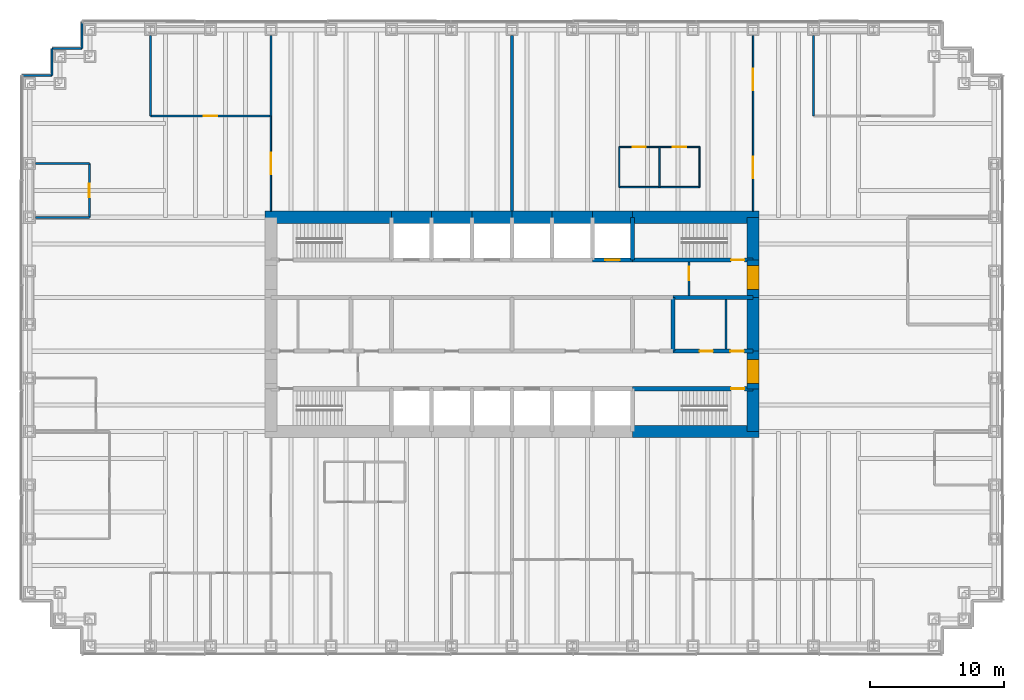
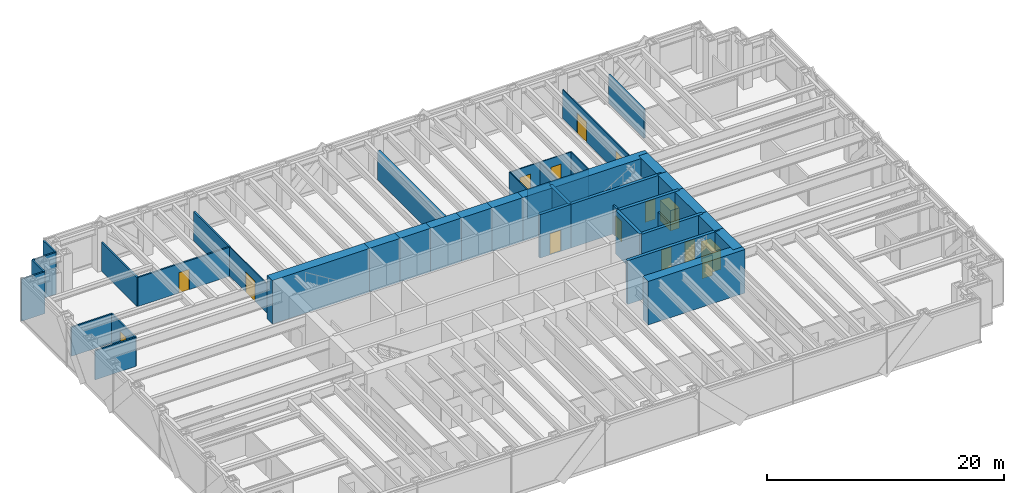
# One storey, part 11 of 13: 42 walls, 15 doors, 15 openings.
"""IFC4 building model written with IfcOpenShell, lengths in metres."""

from ifc_helpers import new_model, si_unit, direction, frame, frame_2d, origin, place, context, subcontext, project, spatial, rectangle, extrude, material, layer, layer_set, type_object, element, fill, save


model = new_model("IFC4")

# Units and contexts
model_context = context("Model", 3, precision=1e-05, world=origin(), true_north=direction((0.0, 1.0)))
body_context = subcontext(model_context, "Body", "Model", "MODEL_VIEW")
ifc_project = project(units=[si_unit("LENGTHUNIT", "METRE"), si_unit("AREAUNIT", "SQUARE_METRE"), si_unit("VOLUMEUNIT", "CUBIC_METRE"), si_unit("PLANEANGLEUNIT", "RADIAN"), si_unit("MASSUNIT", "GRAM", prefix="KILO")], contexts=[model_context])

# Site, building, storey
site_placement = place(None, origin())
site = spatial("IfcSite", under=ifc_project, at=site_placement, CompositionType="ELEMENT")
building_placement = place(site_placement, origin())
building = spatial("IfcBuilding", under=site, at=building_placement, Name="Rheinbord Bourse Tower", CompositionType="ELEMENT")
storey_placement = place(building_placement, frame((0.0, 0.0, 54.5)))
storey = spatial("IfcBuildingStorey", under=building, at=storey_placement, Name="L11", CompositionType="ELEMENT", Elevation=54.5)

# Wall, opening, door
ifc_material_1 = material(Name="Concrete C50/60", Category="concrete")
ifc_layer_1 = layer(ifc_material_1, 0.300048828125)
ifc_layer_set_1 = layer_set([ifc_layer_1], Name="CORE INNER WALL 300")
wall_type_1 = type_object("IfcWallType", Name="CORE INNER WALL 300", PredefinedType="SOLIDWALL", material=ifc_layer_set_1)
wall_1_placement = place(storey_placement, frame((45.0, 19.199951171875, 0.0), z_axis=(0.0, 0.0, 1.0), x_axis=(1.0, 0.0, 0.0)))
wall_1 = element("IfcWall", 1, at=wall_1_placement, inside=storey, type_object=wall_type_1, Name="Core wall A8 L11", PredefinedType="SOLIDWALL", context=body_context, shape_type="SweptSolid", body=[
    extrude(rectangle(XDim=9.0, YDim=0.300048828125, at=frame_2d((4.5, 0.0))), origin(), (0.0, 0.0, 1.0), 4.5),
])
opening_1_placement = place(wall_1_placement, frame((7.35009765625, 0.0, 0.0)))
opening_1 = element("IfcOpeningElement", 2, at=opening_1_placement, cuts=wall_1, Name="Opening 1130", PredefinedType="OPENING", context=body_context, shape_type="SweptSolid", body=[
    extrude(rectangle(XDim=1.0, YDim=2.10009765625, at=frame_2d((0.5, 1.050048828125))), frame((0.0, 0.159912109375, 0.0), z_axis=(0.0, -1.0, 0.0), x_axis=(1.0, 0.0, 0.0)), (0.0, 0.0, 1.0), 0.320068359375),
])
ifc_material_2 = material(Name="Steel door", Category="steel")
door_type_1 = type_object("IfcDoorType", Name="DOOR 1000 EI30", OperationType="SINGLE_SWING_LEFT", PredefinedType="DOOR", material=ifc_material_2)
door_1_placement = place(opening_1_placement, origin())
door_1 = element("IfcDoor", 3, at=door_1_placement, inside=storey, type_object=door_type_1, Name="Stair door ST3 L11", OperationType="SINGLE_SWING_RIGHT", OverallHeight=2.10009765625, OverallWidth=1.0, PredefinedType="DOOR", context=body_context, shape_type="SweptSolid", body=[
    extrude(rectangle(XDim=1.0, YDim=2.10009765625, at=frame_2d((0.5, 1.050048828125))), frame((0.0, 0.02490234375, 0.0), z_axis=(0.0, -1.0, 0.0), x_axis=(1.0, 0.0, 0.0)), (0.0, 0.0, 1.0), 0.050048828125),
])
fill(opening_1, door_1)

wall_2_placement = place(storey_placement, frame((42.0, 28.800048828125, 0.0), z_axis=(0.0, 0.0, 1.0), x_axis=(1.0, 0.0, 0.0)))
wall_2 = element("IfcWall", 4, at=wall_2_placement, inside=storey, type_object=wall_type_1, Name="Core wall B7 L11", PredefinedType="SOLIDWALL", context=body_context, shape_type="SweptSolid", body=[
    extrude(rectangle(XDim=3.0, YDim=0.300048828125, at=frame_2d((1.5, 0.0))), origin(), (0.0, 0.0, 1.0), 4.5),
])
opening_2_placement = place(wall_2_placement, frame((0.949951171875, 0.0, 0.0)))
opening_2 = element("IfcOpeningElement", 5, at=opening_2_placement, cuts=wall_2, Name="Opening FL2", PredefinedType="OPENING", context=body_context, shape_type="SweptSolid", body=[
    extrude(rectangle(XDim=1.10009765625, YDim=2.199951171875, at=frame_2d((0.550048828125, 1.10009765625))), frame((0.0, 0.159912109375, 0.0), z_axis=(0.0, -1.0, 0.0), x_axis=(1.0, 0.0, 0.0)), (0.0, 0.0, 1.0), 0.320068359375),
])
ifc_material_3 = material(Name="Steel landing door", Category="steel")
door_type_2 = type_object("IfcDoorType", Name="LIFT LANDING DOOR 1100", OperationType="DOUBLE_DOOR_SLIDING", PredefinedType="USERDEFINED", material=ifc_material_3)
door_2_placement = place(opening_2_placement, origin())
door_2 = element("IfcDoor", 6, at=door_2_placement, inside=storey, type_object=door_type_2, Name="Lift landing door FL2 L11", ObjectType="LIFT LANDING DOOR", OperationType="DOUBLE_DOOR_SLIDING", OverallHeight=2.199951171875, OverallWidth=1.10009765625, PredefinedType="USERDEFINED", context=body_context, shape_type="SweptSolid", body=[
    extrude(rectangle(XDim=1.10009765625, YDim=2.199951171875, at=frame_2d((0.550048828125, 1.10009765625))), frame((0.0, 0.02490234375, 0.0), z_axis=(0.0, -1.0, 0.0), x_axis=(1.0, 0.0, 0.0)), (0.0, 0.0, 1.0), 0.050048828125),
])
fill(opening_2, door_2)

wall_3_placement = place(storey_placement, frame((45.0, 28.800048828125, 0.0), z_axis=(0.0, 0.0, 1.0), x_axis=(1.0, 0.0, 0.0)))
wall_3 = element("IfcWall", 7, at=wall_3_placement, inside=storey, type_object=wall_type_1, Name="Core wall B8 L11", PredefinedType="SOLIDWALL", context=body_context, shape_type="SweptSolid", body=[
    extrude(rectangle(XDim=9.0, YDim=0.300048828125, at=frame_2d((4.5, 0.0))), origin(), (0.0, 0.0, 1.0), 4.5),
])
opening_3_placement = place(wall_3_placement, frame((7.35009765625, 0.0, 0.0)))
opening_3 = element("IfcOpeningElement", 8, at=opening_3_placement, cuts=wall_3, Name="Opening 1140", PredefinedType="OPENING", context=body_context, shape_type="SweptSolid", body=[
    extrude(rectangle(XDim=1.0, YDim=2.10009765625, at=frame_2d((0.5, 1.050048828125))), frame((0.0, 0.159912109375, 0.0), z_axis=(0.0, -1.0, 0.0), x_axis=(1.0, 0.0, 0.0)), (0.0, 0.0, 1.0), 0.320068359375),
])
door_3_placement = place(opening_3_placement, origin())
door_3 = element("IfcDoor", 9, at=door_3_placement, inside=storey, type_object=door_type_1, Name="Stair door ST4 L11", OperationType="SINGLE_SWING_RIGHT", OverallHeight=2.10009765625, OverallWidth=1.0, PredefinedType="DOOR", context=body_context, shape_type="SweptSolid", body=[
    extrude(rectangle(XDim=1.0, YDim=2.10009765625, at=frame_2d((0.5, 1.050048828125))), frame((0.0, 0.02490234375, 0.0), z_axis=(0.0, -1.0, 0.0), x_axis=(1.0, 0.0, 0.0)), (0.0, 0.0, 1.0), 0.050048828125),
])
fill(opening_3, door_3)

# Wall, openings, doors
wall_4_placement = place(storey_placement, frame((48.0, 22.0, 0.0), z_axis=(0.0, 0.0, 1.0), x_axis=(1.0, 0.0, 0.0)))
wall_4 = element("IfcWall", 10, at=wall_4_placement, inside=storey, type_object=wall_type_1, Name="Core wall C6 L11", PredefinedType="SOLIDWALL", context=body_context, shape_type="SweptSolid", body=[
    extrude(rectangle(XDim=6.0, YDim=0.300048828125, at=frame_2d((3.0, 0.0))), origin(), (0.0, 0.0, 1.0), 4.5),
])
opening_4_placement = place(wall_4_placement, frame((2.0, 0.0, 0.0)))
opening_4 = element("IfcOpeningElement", 11, at=opening_4_placement, cuts=wall_4, Name="Opening 11R6", PredefinedType="OPENING", context=body_context, shape_type="SweptSolid", body=[
    extrude(rectangle(XDim=1.0, YDim=2.10009765625, at=frame_2d((0.5, 1.050048828125))), frame((0.0, 0.159912109375, 0.0), z_axis=(0.0, -1.0, 0.0), x_axis=(1.0, 0.0, 0.0)), (0.0, 0.0, 1.0), 0.320068359375),
])
opening_5_placement = place(wall_4_placement, frame((4.300048828125, 0.0, 0.0)))
opening_5 = element("IfcOpeningElement", 12, at=opening_5_placement, cuts=wall_4, Name="Opening 11R10", PredefinedType="OPENING", context=body_context, shape_type="SweptSolid", body=[
    extrude(rectangle(XDim=1.0, YDim=2.10009765625, at=frame_2d((0.5, 1.050048828125))), frame((0.0, 0.159912109375, 0.0), z_axis=(0.0, -1.0, 0.0), x_axis=(1.0, 0.0, 0.0)), (0.0, 0.0, 1.0), 0.320068359375),
])
door_4_placement = place(opening_5_placement, origin())
door_4 = element("IfcDoor", 13, at=door_4_placement, inside=storey, type_object=door_type_1, Name="Cleaner's store door L11", OperationType="SINGLE_SWING_RIGHT", OverallHeight=2.10009765625, OverallWidth=1.0, PredefinedType="DOOR", context=body_context, shape_type="SweptSolid", body=[
    extrude(rectangle(XDim=1.0, YDim=2.10009765625, at=frame_2d((0.5, 1.050048828125))), frame((0.0, 0.02490234375, 0.0), z_axis=(0.0, -1.0, 0.0), x_axis=(1.0, 0.0, 0.0)), (0.0, 0.0, 1.0), 0.050048828125),
])
fill(opening_5, door_4)
ifc_material_4 = material(Name="Timber door", Category="wood")
door_type_3 = type_object("IfcDoorType", Name="DOOR 1000 WC", OperationType="SINGLE_SWING_LEFT", PredefinedType="DOOR", material=ifc_material_4)
door_5_placement = place(opening_4_placement, origin())
door_5 = element("IfcDoor", 14, at=door_5_placement, inside=storey, type_object=door_type_3, Name="WC women door L11", OperationType="SINGLE_SWING_LEFT", OverallHeight=2.10009765625, OverallWidth=1.0, PredefinedType="DOOR", context=body_context, shape_type="SweptSolid", body=[
    extrude(rectangle(XDim=1.0, YDim=2.10009765625, at=frame_2d((0.5, 1.050048828125))), frame((0.0, 0.02490234375, 0.0), z_axis=(0.0, -1.0, 0.0), x_axis=(1.0, 0.0, 0.0)), (0.0, 0.0, 1.0), 0.050048828125),
])
fill(opening_4, door_5)

# Walls
wall_5_placement = place(storey_placement, frame((48.0, 26.0, 0.0), z_axis=(0.0, 0.0, 1.0), x_axis=(1.0, 0.0, 0.0)))
element("IfcWall", 15, at=wall_5_placement, inside=storey, type_object=wall_type_1, Name="Core wall D6 L11", PredefinedType="SOLIDWALL", context=body_context, shape_type="SweptSolid", body=[
    extrude(rectangle(XDim=6.0, YDim=0.300048828125, at=frame_2d((3.0, 0.0))), origin(), (0.0, 0.0, 1.0), 4.5),
])
wall_6_placement = place(storey_placement, frame((45.0, 28.800048828125, 0.0), z_axis=(0.0, 0.0, 1.0), x_axis=(0.0, 1.0, 0.0)))
element("IfcWall", 16, at=wall_6_placement, inside=storey, type_object=wall_type_1, Name="Core wall NX45 L11", PredefinedType="SOLIDWALL", context=body_context, shape_type="SweptSolid", body=[
    extrude(rectangle(XDim=3.199951171875, YDim=0.300048828125, at=frame_2d((1.60009765625, 0.0))), origin(), (0.0, 0.0, 1.0), 4.5),
])
wall_7_placement = place(storey_placement, frame((48.0, 22.0, 0.0), z_axis=(0.0, 0.0, 1.0), x_axis=(0.0, 1.0, 0.0)))
element("IfcWall", 17, at=wall_7_placement, inside=storey, type_object=wall_type_1, Name="Core wall MX48 L11", PredefinedType="SOLIDWALL", context=body_context, shape_type="SweptSolid", body=[
    extrude(rectangle(XDim=4.0, YDim=0.300048828125, at=frame_2d((2.0, 0.0))), origin(), (0.0, 0.0, 1.0), 4.5),
])
ifc_material_5 = material(Name="Gypsum board fire partition", Category="gypsum board")
ifc_layer_2 = layer(ifc_material_5, 0.14990234375)
ifc_layer_set_2 = layer_set([ifc_layer_2], Name="CORE PARTITION 150 EI30")
wall_type_2 = type_object("IfcWallType", Name="CORE PARTITION 150 EI30", PredefinedType="PARTITIONING", material=ifc_layer_set_2)
wall_8_placement = place(storey_placement, frame((51.97509765625, 22.14990234375, 0.0), z_axis=(0.0, 0.0, 1.0), x_axis=(0.0, 1.0, 0.0)))
element("IfcWall", 18, at=wall_8_placement, inside=storey, type_object=wall_type_2, Name="Core partition L11-3", PredefinedType="PARTITIONING", context=body_context, shape_type="SweptSolid", body=[
    extrude(rectangle(XDim=3.7001953125, YDim=0.14990234375, at=frame_2d((1.85009765625, 0.0))), origin(), (0.0, 0.0, 1.0), 3.0),
])

# Wall, opening, door
wall_9_placement = place(storey_placement, frame((49.199951171875, 26.14990234375, 0.0), z_axis=(0.0, 0.0, 1.0), x_axis=(0.0, 1.0, 0.0)))
wall_9 = element("IfcWall", 19, at=wall_9_placement, inside=storey, type_object=wall_type_2, Name="Core partition L11-5", PredefinedType="PARTITIONING", context=body_context, shape_type="SweptSolid", body=[
    extrude(rectangle(XDim=2.5, YDim=0.14990234375, at=frame_2d((1.25, 0.0))), origin(), (0.0, 0.0, 1.0), 3.0),
])
opening_6_placement = place(wall_9_placement, frame((1.14990234375, 0.0, 0.0)))
opening_6 = element("IfcOpeningElement", 20, at=opening_6_placement, cuts=wall_9, Name="Opening 11L6", PredefinedType="OPENING", context=body_context, shape_type="SweptSolid", body=[
    extrude(rectangle(XDim=1.0, YDim=2.10009765625, at=frame_2d((0.5, 1.050048828125))), frame((0.0, 0.0849609375, 0.0), z_axis=(0.0, -1.0, 0.0), x_axis=(1.0, 0.0, 0.0)), (0.0, 0.0, 1.0), 0.169921875),
])
door_6_placement = place(opening_6_placement, origin())
door_6 = element("IfcDoor", 21, at=door_6_placement, inside=storey, type_object=door_type_1, Name="Stair lobby door L11", OperationType="SINGLE_SWING_RIGHT", OverallHeight=2.10009765625, OverallWidth=1.0, PredefinedType="DOOR", context=body_context, shape_type="SweptSolid", body=[
    extrude(rectangle(XDim=1.0, YDim=2.10009765625, at=frame_2d((0.5, 1.050048828125))), frame((0.0, 0.02490234375, 0.0), z_axis=(0.0, -1.0, 0.0), x_axis=(1.0, 0.0, 0.0)), (0.0, 0.0, 1.0), 0.050048828125),
])
fill(opening_6, door_6)

# Walls
ifc_material_6 = material(Name="Concrete C50/60", Category="concrete")
ifc_layer_3 = layer(ifc_material_6, 0.89990234375)
ifc_layer_set_3 = layer_set([ifc_layer_3], Name="CORE WALL 900")
wall_type_3 = type_object("IfcWallType", Name="CORE WALL 900", PredefinedType="SHEAR", material=ifc_layer_set_3)
for number, where, z_axis, x_axis, name in (
    (22, (45.0, 16.0, 0.0), (0.0, 0.0, 1.0), (1.0, 0.0, 0.0), "Core wall S8 L11"),
    (23, (54.449951171875, 32.0, 0.0), (0.0, 0.0, 1.0), (-1.0, 0.0, 0.0), "Core wall N1 L11"),
):
    element("IfcWall", number, at=place(storey_placement, frame(where, z_axis=z_axis, x_axis=x_axis)), inside=storey, type_object=wall_type_3, Name=name, PredefinedType="SHEAR", context=body_context, shape_type="SweptSolid", body=[
        extrude(rectangle(XDim=9.449951171875, YDim=0.89990234375, at=frame_2d((4.72509765625, 0.0))), origin(), (0.0, 0.0, 1.0), 4.5),
    ])
for number, where, z_axis, x_axis, name in (
    (24, (45.0, 32.0, 0.0), (0.0, 0.0, 1.0), (-1.0, 0.0, 0.0), "Core wall N2 L11"),
    (25, (42.0, 32.0, 0.0), (0.0, 0.0, 1.0), (-1.0, 0.0, 0.0), "Core wall N3 L11"),
    (26, (39.0, 32.0, 0.0), (0.0, 0.0, 1.0), (-1.0, 0.0, 0.0), "Core wall N4 L11"),
    (27, (36.0, 32.0, 0.0), (0.0, 0.0, 1.0), (-1.0, 0.0, 0.0), "Core wall N5 L11"),
    (28, (33.0, 32.0, 0.0), (0.0, 0.0, 1.0), (-1.0, 0.0, 0.0), "Core wall N6 L11"),
    (29, (30.0, 32.0, 0.0), (0.0, 0.0, 1.0), (-1.0, 0.0, 0.0), "Core wall N7 L11"),
):
    element("IfcWall", number, at=place(storey_placement, frame(where, z_axis=z_axis, x_axis=x_axis)), inside=storey, type_object=wall_type_3, Name=name, PredefinedType="SHEAR", context=body_context, shape_type="SweptSolid", body=[
        extrude(rectangle(XDim=3.0, YDim=0.89990234375, at=frame_2d((1.5, 0.0))), origin(), (0.0, 0.0, 1.0), 4.5),
    ])
wall_10_placement = place(storey_placement, frame((27.0, 32.0, 0.0), z_axis=(0.0, 0.0, 1.0), x_axis=(-1.0, 0.0, 0.0)))
element("IfcWall", 30, at=wall_10_placement, inside=storey, type_object=wall_type_3, Name="Core wall N8 L11", PredefinedType="SHEAR", context=body_context, shape_type="SweptSolid", body=[
    extrude(rectangle(XDim=9.449951171875, YDim=0.89990234375, at=frame_2d((4.72509765625, 0.0))), origin(), (0.0, 0.0, 1.0), 4.5),
])
wall_11_placement = place(storey_placement, frame((54.0, 16.0, 0.0), z_axis=(0.0, 0.0, 1.0), x_axis=(0.0, 1.0, 0.0)))
element("IfcWall", 31, at=wall_11_placement, inside=storey, type_object=wall_type_3, Name="Core wall E1 L11", PredefinedType="SHEAR", context=body_context, shape_type="SweptSolid", body=[
    extrude(rectangle(XDim=3.199951171875, YDim=0.89990234375, at=frame_2d((1.60009765625, 0.0))), origin(), (0.0, 0.0, 1.0), 4.5),
])

# Wall, opening, door
wall_12_placement = place(storey_placement, frame((54.0, 19.199951171875, 0.0), z_axis=(0.0, 0.0, 1.0), x_axis=(0.0, 1.0, 0.0)))
wall_12 = element("IfcWall", 32, at=wall_12_placement, inside=storey, type_object=wall_type_3, Name="Core wall E2 L11", PredefinedType="SHEAR", context=body_context, shape_type="SweptSolid", body=[
    extrude(rectangle(XDim=2.800048828125, YDim=0.89990234375, at=frame_2d((1.39990234375, 0.0))), origin(), (0.0, 0.0, 1.0), 4.5),
])
opening_7_placement = place(wall_12_placement, frame((0.39990234375, 0.0, 0.0)))
opening_7 = element("IfcOpeningElement", 33, at=opening_7_placement, cuts=wall_12, Name="Opening 11L3", PredefinedType="OPENING", context=body_context, shape_type="SweptSolid", body=[
    extrude(rectangle(XDim=1.800048828125, YDim=2.10009765625, at=frame_2d((0.89990234375, 1.050048828125))), frame((0.0, 0.4599609375, 0.0), z_axis=(0.0, -1.0, 0.0), x_axis=(1.0, 0.0, 0.0)), (0.0, 0.0, 1.0), 0.919921875),
])
ifc_material_7 = material(Name="Steel door", Category="steel")
door_type_4 = type_object("IfcDoorType", Name="DOOR 1800 EI30 DOUBLE", OperationType="DOUBLE_DOOR_DOUBLE_SWING", PredefinedType="DOOR", material=ifc_material_7)
door_7_placement = place(opening_7_placement, origin())
door_7 = element("IfcDoor", 34, at=door_7_placement, inside=storey, type_object=door_type_4, Name="Lobby door 3 L11", OperationType="SINGLE_SWING_LEFT", OverallHeight=2.10009765625, OverallWidth=1.800048828125, PredefinedType="DOOR", context=body_context, shape_type="SweptSolid", body=[
    extrude(rectangle(XDim=1.800048828125, YDim=2.10009765625, at=frame_2d((0.89990234375, 1.050048828125))), frame((0.0, 0.44970703125, 0.0), z_axis=(0.0, -1.0, 0.0), x_axis=(1.0, 0.0, 0.0)), (0.0, 0.0, 1.0), 0.8994140625),
])
fill(opening_7, door_7)

# Wall
wall_13_placement = place(storey_placement, frame((54.0, 22.0, 0.0), z_axis=(0.0, 0.0, 1.0), x_axis=(0.0, 1.0, 0.0)))
element("IfcWall", 35, at=wall_13_placement, inside=storey, type_object=wall_type_3, Name="Core wall E3 L11", PredefinedType="SHEAR", context=body_context, shape_type="SweptSolid", body=[
    extrude(rectangle(XDim=4.0, YDim=0.89990234375, at=frame_2d((2.0, 0.0))), origin(), (0.0, 0.0, 1.0), 4.5),
])

# Wall, opening, door
wall_14_placement = place(storey_placement, frame((54.0, 26.0, 0.0), z_axis=(0.0, 0.0, 1.0), x_axis=(0.0, 1.0, 0.0)))
wall_14 = element("IfcWall", 36, at=wall_14_placement, inside=storey, type_object=wall_type_3, Name="Core wall E4 L11", PredefinedType="SHEAR", context=body_context, shape_type="SweptSolid", body=[
    extrude(rectangle(XDim=2.800048828125, YDim=0.89990234375, at=frame_2d((1.39990234375, 0.0))), origin(), (0.0, 0.0, 1.0), 4.5),
])
opening_8_placement = place(wall_14_placement, frame((0.60009765625, 0.0, 0.0)))
opening_8 = element("IfcOpeningElement", 37, at=opening_8_placement, cuts=wall_14, Name="Opening 11L4", PredefinedType="OPENING", context=body_context, shape_type="SweptSolid", body=[
    extrude(rectangle(XDim=1.800048828125, YDim=2.10009765625, at=frame_2d((0.89990234375, 1.050048828125))), frame((0.0, 0.4599609375, 0.0), z_axis=(0.0, -1.0, 0.0), x_axis=(1.0, 0.0, 0.0)), (0.0, 0.0, 1.0), 0.919921875),
])
door_8_placement = place(opening_8_placement, origin())
door_8 = element("IfcDoor", 38, at=door_8_placement, inside=storey, type_object=door_type_4, Name="Lobby door 4 L11", OperationType="SINGLE_SWING_LEFT", OverallHeight=2.10009765625, OverallWidth=1.800048828125, PredefinedType="DOOR", context=body_context, shape_type="SweptSolid", body=[
    extrude(rectangle(XDim=1.800048828125, YDim=2.10009765625, at=frame_2d((0.89990234375, 1.050048828125))), frame((0.0, 0.44970703125, 0.0), z_axis=(0.0, -1.0, 0.0), x_axis=(1.0, 0.0, 0.0)), (0.0, 0.0, 1.0), 0.8994140625),
])
fill(opening_8, door_8)

# Walls
wall_15_placement = place(storey_placement, frame((54.0, 28.800048828125, 0.0), z_axis=(0.0, 0.0, 1.0), x_axis=(0.0, 1.0, 0.0)))
element("IfcWall", 39, at=wall_15_placement, inside=storey, type_object=wall_type_3, Name="Core wall E5 L11", PredefinedType="SHEAR", context=body_context, shape_type="SweptSolid", body=[
    extrude(rectangle(XDim=3.199951171875, YDim=0.89990234375, at=frame_2d((1.60009765625, 0.0))), origin(), (0.0, 0.0, 1.0), 4.5),
])
ifc_material_8 = material(Name="Black metal rainscreen panel", Category="aluminium")
ifc_layer_4 = layer(ifc_material_8, 0.14990234375)
ifc_layer_set_4 = layer_set([ifc_layer_4], Name="CORNER PIER CLADDING 150")
wall_type_4 = type_object("IfcWallType", Name="CORNER PIER CLADDING 150", PredefinedType="ELEMENTEDWALL", material=ifc_layer_set_4)
wall_16_placement = place(storey_placement, frame((3.89990234375, 46.60009765625, 0.0), z_axis=(0.0, 0.0, 1.0), x_axis=(0.0, -1.0, 0.0)))
element("IfcWall", 40, at=wall_16_placement, inside=storey, type_object=wall_type_4, Name="Corner pier cladding L11 12", PredefinedType="ELEMENTEDWALL", context=body_context, shape_type="SweptSolid", body=[
    extrude(rectangle(XDim=2.0, YDim=0.14990234375, at=frame_2d((1.0, 0.0))), origin(), (0.0, 0.0, 1.0), 4.320068359375),
])
wall_17_placement = place(storey_placement, frame((3.89990234375, 44.60009765625, 0.0), z_axis=(0.0, 0.0, 1.0), x_axis=(-1.0, 0.0, 0.0)))
element("IfcWall", 41, at=wall_17_placement, inside=storey, type_object=wall_type_4, Name="Corner pier cladding L11 13", PredefinedType="ELEMENTEDWALL", context=body_context, shape_type="SweptSolid", body=[
    extrude(rectangle(XDim=2.25, YDim=0.14990234375, at=frame_2d((1.125, 0.0))), origin(), (0.0, 0.0, 1.0), 4.320068359375),
])
wall_18_placement = place(storey_placement, frame((1.64990234375, 44.60009765625, 0.0), z_axis=(0.0, 0.0, 1.0), x_axis=(0.0, -1.0, 0.0)))
element("IfcWall", 42, at=wall_18_placement, inside=storey, type_object=wall_type_4, Name="Corner pier cladding L11 14", PredefinedType="ELEMENTEDWALL", context=body_context, shape_type="SweptSolid", body=[
    extrude(rectangle(XDim=2.0, YDim=0.14990234375, at=frame_2d((1.0, 0.0))), origin(), (0.0, 0.0, 1.0), 4.320068359375),
])
wall_19_placement = place(storey_placement, frame((1.64990234375, 42.60009765625, 0.0), z_axis=(0.0, 0.0, 1.0), x_axis=(-1.0, 0.0, 0.0)))
element("IfcWall", 43, at=wall_19_placement, inside=storey, type_object=wall_type_4, Name="Corner pier cladding L11 15", PredefinedType="ELEMENTEDWALL", context=body_context, shape_type="SweptSolid", body=[
    extrude(rectangle(XDim=2.25, YDim=0.14990234375, at=frame_2d((1.125, 0.0))), origin(), (0.0, 0.0, 1.0), 4.320068359375),
])
ifc_material_9 = material(Name="Gypsum board tenancy wall", Category="gypsum board")
ifc_layer_5 = layer(ifc_material_9, 0.25)
ifc_layer_set_5 = layer_set([ifc_layer_5], Name="DEMISING PARTITION 250 EI60")
wall_type_5 = type_object("IfcWallType", Name="DEMISING PARTITION 250 EI60", PredefinedType="PARTITIONING", material=ifc_layer_set_5)
wall_20_placement = place(storey_placement, frame((36.0, 32.449951171875, 0.0), z_axis=(0.0, 0.0, 1.0), x_axis=(0.0, 1.0, 0.0)))
element("IfcWall", 44, at=wall_20_placement, inside=storey, type_object=wall_type_5, Name="Partition L11-39", PredefinedType="PARTITIONING", context=body_context, shape_type="SweptSolid", body=[
    extrude(rectangle(XDim=13.10009765625, YDim=0.25, at=frame_2d((6.550048828125, 0.0))), origin(), (0.0, 0.0, 1.0), 3.0),
])
ifc_material_10 = material(Name="Gypsum board fire partition", Category="gypsum board")
ifc_layer_6 = layer(ifc_material_10, 0.14990234375)
ifc_layer_set_6 = layer_set([ifc_layer_6], Name="FIRE PARTITION 150 EI60")
wall_type_6 = type_object("IfcWallType", Name="FIRE PARTITION 150 EI60", PredefinedType="PARTITIONING", material=ifc_layer_set_6)
for number, where, z_axis, x_axis, name in (
    (45, (0.449951171875, 32.0, 0.0), (0.0, 0.0, 1.0), (1.0, 0.0, 0.0), "Partition L11-16"),
    (46, (0.449951171875, 36.0, 0.0), (0.0, 0.0, 1.0), (1.0, 0.0, 0.0), "Partition L11-19"),
):
    element("IfcWall", number, at=place(storey_placement, frame(where, z_axis=z_axis, x_axis=x_axis)), inside=storey, type_object=wall_type_6, Name=name, PredefinedType="PARTITIONING", context=body_context, shape_type="SweptSolid", body=[
        extrude(rectangle(XDim=4.0, YDim=0.14990234375, at=frame_2d((2.0, 0.0))), origin(), (0.0, 0.0, 1.0), 3.0),
    ])

# Wall, opening, door
wall_21_placement = place(storey_placement, frame((4.449951171875, 32.0, 0.0), z_axis=(0.0, 0.0, 1.0), x_axis=(0.0, 1.0, 0.0)))
wall_21 = element("IfcWall", 47, at=wall_21_placement, inside=storey, type_object=wall_type_6, Name="Partition L11-23", PredefinedType="PARTITIONING", context=body_context, shape_type="SweptSolid", body=[
    extrude(rectangle(XDim=4.0, YDim=0.14990234375, at=frame_2d((2.0, 0.0))), origin(), (0.0, 0.0, 1.0), 3.0),
])
opening_9_placement = place(wall_21_placement, frame((1.5, 0.0, 0.0)))
opening_9 = element("IfcOpeningElement", 48, at=opening_9_placement, cuts=wall_21, Name="Opening 11D16", PredefinedType="OPENING", context=body_context, shape_type="SweptSolid", body=[
    extrude(rectangle(XDim=1.0, YDim=2.10009765625, at=frame_2d((0.5, 1.050048828125))), frame((0.0, 0.0849609375, 0.0), z_axis=(0.0, -1.0, 0.0), x_axis=(1.0, 0.0, 0.0)), (0.0, 0.0, 1.0), 0.169921875),
])
ifc_material_11 = material(Name="Timber fire door", Category="wood")
door_type_5 = type_object("IfcDoorType", Name="FIRE DOOR 1000 EI60", OperationType="SINGLE_SWING_LEFT", PredefinedType="DOOR", material=ifc_material_11)
door_9_placement = place(opening_9_placement, origin())
door_9 = element("IfcDoor", 49, at=door_9_placement, inside=storey, type_object=door_type_5, Name="Comms room door L11", OperationType="SINGLE_SWING_LEFT", OverallHeight=2.10009765625, OverallWidth=1.0, PredefinedType="DOOR", context=body_context, shape_type="SweptSolid", body=[
    extrude(rectangle(XDim=1.0, YDim=2.10009765625, at=frame_2d((0.5, 1.050048828125))), frame((0.0, 0.02490234375, 0.0), z_axis=(0.0, -1.0, 0.0), x_axis=(1.0, 0.0, 0.0)), (0.0, 0.0, 1.0), 0.050048828125),
])
fill(opening_9, door_9)

# Wall
ifc_material_12 = material(Name="Toughened laminated glass partition", Category="glass")
ifc_layer_7 = layer(ifc_material_12, 0.10009765625)
ifc_layer_set_7 = layer_set([ifc_layer_7], Name="GLAZED PARTITION 100")
wall_type_7 = type_object("IfcWallType", Name="GLAZED PARTITION 100", PredefinedType="PARTITIONING", material=ifc_layer_set_7)
wall_22_placement = place(storey_placement, frame((44.0, 34.25, 0.0), z_axis=(0.0, 0.0, 1.0), x_axis=(1.0, 0.0, 0.0)))
element("IfcWall", 50, at=wall_22_placement, inside=storey, type_object=wall_type_7, Name="Partition L11-18", PredefinedType="PARTITIONING", context=body_context, shape_type="SweptSolid", body=[
    extrude(rectangle(XDim=6.0, YDim=0.10009765625, at=frame_2d((3.0, 0.0))), origin(), (0.0, 0.0, 1.0), 3.0),
])

# Wall, openings, doors
wall_23_placement = place(storey_placement, frame((44.0, 37.25, 0.0), z_axis=(0.0, 0.0, 1.0), x_axis=(1.0, 0.0, 0.0)))
wall_23 = element("IfcWall", 51, at=wall_23_placement, inside=storey, type_object=wall_type_7, Name="Partition L11-20", PredefinedType="PARTITIONING", context=body_context, shape_type="SweptSolid", body=[
    extrude(rectangle(XDim=6.0, YDim=0.10009765625, at=frame_2d((3.0, 0.0))), origin(), (0.0, 0.0, 1.0), 3.0),
])
opening_10_placement = place(wall_23_placement, frame((1.0, 0.0, 0.0)))
opening_10 = element("IfcOpeningElement", 52, at=opening_10_placement, cuts=wall_23, Name="Opening 11D17", PredefinedType="OPENING", context=body_context, shape_type="SweptSolid", body=[
    extrude(rectangle(XDim=1.0, YDim=2.10009765625, at=frame_2d((0.5, 1.050048828125))), frame((0.0, 0.06005859375, 0.0), z_axis=(0.0, -1.0, 0.0), x_axis=(1.0, 0.0, 0.0)), (0.0, 0.0, 1.0), 0.1201171875),
])
opening_11_placement = place(wall_23_placement, frame((4.0, 0.0, 0.0)))
opening_11 = element("IfcOpeningElement", 53, at=opening_11_placement, cuts=wall_23, Name="Opening 11D18", PredefinedType="OPENING", context=body_context, shape_type="SweptSolid", body=[
    extrude(rectangle(XDim=1.0, YDim=2.10009765625, at=frame_2d((0.5, 1.050048828125))), frame((0.0, 0.06005859375, 0.0), z_axis=(0.0, -1.0, 0.0), x_axis=(1.0, 0.0, 0.0)), (0.0, 0.0, 1.0), 0.1201171875),
])
ifc_material_13 = material(Name="Timber door", Category="wood")
door_type_6 = type_object("IfcDoorType", Name="ROOM DOOR 1000", OperationType="SINGLE_SWING_LEFT", PredefinedType="DOOR", material=ifc_material_13)
door_10_placement = place(opening_10_placement, origin())
door_10 = element("IfcDoor", 54, at=door_10_placement, inside=storey, type_object=door_type_6, Name="Quiet room door L11", OperationType="SINGLE_SWING_LEFT", OverallHeight=2.10009765625, OverallWidth=1.0, PredefinedType="DOOR", context=body_context, shape_type="SweptSolid", body=[
    extrude(rectangle(XDim=1.0, YDim=2.10009765625, at=frame_2d((0.5, 1.050048828125))), frame((0.0, 0.02490234375, 0.0), z_axis=(0.0, -1.0, 0.0), x_axis=(1.0, 0.0, 0.0)), (0.0, 0.0, 1.0), 0.050048828125),
])
fill(opening_10, door_10)
door_11_placement = place(opening_11_placement, origin())
door_11 = element("IfcDoor", 55, at=door_11_placement, inside=storey, type_object=door_type_6, Name="Quiet room door L11", OperationType="SINGLE_SWING_RIGHT", OverallHeight=2.10009765625, OverallWidth=1.0, PredefinedType="DOOR", context=body_context, shape_type="SweptSolid", body=[
    extrude(rectangle(XDim=1.0, YDim=2.10009765625, at=frame_2d((0.5, 1.050048828125))), frame((0.0, 0.02490234375, 0.0), z_axis=(0.0, -1.0, 0.0), x_axis=(1.0, 0.0, 0.0)), (0.0, 0.0, 1.0), 0.050048828125),
])
fill(opening_11, door_11)

# Wall, opening, door
wall_24_placement = place(storey_placement, frame((18.0, 32.449951171875, 0.0), z_axis=(0.0, 0.0, 1.0), x_axis=(0.0, 1.0, 0.0)))
wall_24 = element("IfcWall", 56, at=wall_24_placement, inside=storey, type_object=wall_type_7, Name="Partition L11-31", PredefinedType="PARTITIONING", context=body_context, shape_type="SweptSolid", body=[
    extrude(rectangle(XDim=7.10009765625, YDim=0.10009765625, at=frame_2d((3.550048828125, 0.0))), origin(), (0.0, 0.0, 1.0), 3.0),
])
opening_12_placement = place(wall_24_placement, frame((2.75, 0.0, 0.0)))
opening_12 = element("IfcOpeningElement", 57, at=opening_12_placement, cuts=wall_24, Name="Opening 11D22", PredefinedType="OPENING", context=body_context, shape_type="SweptSolid", body=[
    extrude(rectangle(XDim=1.60009765625, YDim=2.10009765625, at=frame_2d((0.800048828125, 1.050048828125))), frame((0.0, 0.06005859375, 0.0), z_axis=(0.0, -1.0, 0.0), x_axis=(1.0, 0.0, 0.0)), (0.0, 0.0, 1.0), 0.1201171875),
])
ifc_material_14 = material(Name="Timber door", Category="wood")
door_type_7 = type_object("IfcDoorType", Name="DOUBLE ROOM DOOR 1600", OperationType="DOUBLE_DOOR_DOUBLE_SWING", PredefinedType="DOOR", material=ifc_material_14)
door_12_placement = place(opening_12_placement, origin())
door_12 = element("IfcDoor", 58, at=door_12_placement, inside=storey, type_object=door_type_7, Name="Open area door L11", OperationType="SINGLE_SWING_LEFT", OverallHeight=2.10009765625, OverallWidth=1.60009765625, PredefinedType="DOOR", context=body_context, shape_type="SweptSolid", body=[
    extrude(rectangle(XDim=1.60009765625, YDim=2.10009765625, at=frame_2d((0.800048828125, 1.050048828125))), frame((0.0, 0.02490234375, 0.0), z_axis=(0.0, -1.0, 0.0), x_axis=(1.0, 0.0, 0.0)), (0.0, 0.0, 1.0), 0.050048828125),
])
fill(opening_12, door_12)

# Walls
for number, where, z_axis, x_axis, name in (
    (59, (44.0, 34.25, 0.0), (0.0, 0.0, 1.0), (0.0, 1.0, 0.0), "Partition L11-40"),
    (60, (47.0, 34.25, 0.0), (0.0, 0.0, 1.0), (0.0, 1.0, 0.0), "Partition L11-43"),
    (61, (50.0, 34.25, 0.0), (0.0, 0.0, 1.0), (0.0, 1.0, 0.0), "Partition L11-45"),
):
    element("IfcWall", number, at=place(storey_placement, frame(where, z_axis=z_axis, x_axis=x_axis)), inside=storey, type_object=wall_type_7, Name=name, PredefinedType="PARTITIONING", context=body_context, shape_type="SweptSolid", body=[
        extrude(rectangle(XDim=3.0, YDim=0.10009765625, at=frame_2d((1.5, 0.0))), origin(), (0.0, 0.0, 1.0), 3.0),
    ])

# Wall, openings, doors
wall_25_placement = place(storey_placement, frame((54.0, 32.449951171875, 0.0), z_axis=(0.0, 0.0, 1.0), x_axis=(0.0, 1.0, 0.0)))
wall_25 = element("IfcWall", 62, at=wall_25_placement, inside=storey, type_object=wall_type_7, Name="Partition L11-48", PredefinedType="PARTITIONING", context=body_context, shape_type="SweptSolid", body=[
    extrude(rectangle(XDim=13.10009765625, YDim=0.10009765625, at=frame_2d((6.550048828125, 0.0))), origin(), (0.0, 0.0, 1.0), 3.0),
])
opening_13_placement = place(wall_25_placement, frame((2.47509765625, 0.0, 0.0)))
opening_13 = element("IfcOpeningElement", 63, at=opening_13_placement, cuts=wall_25, Name="Opening 11D24", PredefinedType="OPENING", context=body_context, shape_type="SweptSolid", body=[
    extrude(rectangle(XDim=1.60009765625, YDim=2.10009765625, at=frame_2d((0.800048828125, 1.050048828125))), frame((0.0, 0.06005859375, 0.0), z_axis=(0.0, -1.0, 0.0), x_axis=(1.0, 0.0, 0.0)), (0.0, 0.0, 1.0), 0.1201171875),
])
opening_14_placement = place(wall_25_placement, frame((9.02490234375, 0.0, 0.0)))
opening_14 = element("IfcOpeningElement", 64, at=opening_14_placement, cuts=wall_25, Name="Opening 11D25", PredefinedType="OPENING", context=body_context, shape_type="SweptSolid", body=[
    extrude(rectangle(XDim=1.60009765625, YDim=2.10009765625, at=frame_2d((0.800048828125, 1.050048828125))), frame((0.0, 0.06005859375, 0.0), z_axis=(0.0, -1.0, 0.0), x_axis=(1.0, 0.0, 0.0)), (0.0, 0.0, 1.0), 0.1201171875),
])
door_13_placement = place(opening_13_placement, origin())
door_13 = element("IfcDoor", 65, at=door_13_placement, inside=storey, type_object=door_type_7, Name="Open area door L11", OperationType="SINGLE_SWING_LEFT", OverallHeight=2.10009765625, OverallWidth=1.60009765625, PredefinedType="DOOR", context=body_context, shape_type="SweptSolid", body=[
    extrude(rectangle(XDim=1.60009765625, YDim=2.10009765625, at=frame_2d((0.800048828125, 1.050048828125))), frame((0.0, 0.02490234375, 0.0), z_axis=(0.0, -1.0, 0.0), x_axis=(1.0, 0.0, 0.0)), (0.0, 0.0, 1.0), 0.050048828125),
])
fill(opening_13, door_13)
door_14_placement = place(opening_14_placement, origin())
door_14 = element("IfcDoor", 66, at=door_14_placement, inside=storey, type_object=door_type_7, Name="Open area door L11", OperationType="SINGLE_SWING_LEFT", OverallHeight=2.10009765625, OverallWidth=1.60009765625, PredefinedType="DOOR", context=body_context, shape_type="SweptSolid", body=[
    extrude(rectangle(XDim=1.60009765625, YDim=2.10009765625, at=frame_2d((0.800048828125, 1.050048828125))), frame((0.0, 0.02490234375, 0.0), z_axis=(0.0, -1.0, 0.0), x_axis=(1.0, 0.0, 0.0)), (0.0, 0.0, 1.0), 0.050048828125),
])
fill(opening_14, door_14)

# Wall, opening, door
ifc_material_15 = material(Name="Gypsum board partition", Category="gypsum board")
ifc_layer_8 = layer(ifc_material_15, 0.14990234375)
ifc_layer_set_8 = layer_set([ifc_layer_8], Name="PARTITION 150")
wall_type_8 = type_object("IfcWallType", Name="PARTITION 150", PredefinedType="PARTITIONING", material=ifc_layer_set_8)
wall_26_placement = place(storey_placement, frame((9.0, 39.550048828125, 0.0), z_axis=(0.0, 0.0, 1.0), x_axis=(1.0, 0.0, 0.0)))
wall_26 = element("IfcWall", 67, at=wall_26_placement, inside=storey, type_object=wall_type_8, Name="Partition L11-21", PredefinedType="PARTITIONING", context=body_context, shape_type="SweptSolid", body=[
    extrude(rectangle(XDim=9.0, YDim=0.14990234375, at=frame_2d((4.5, 0.0))), origin(), (0.0, 0.0, 1.0), 3.0),
])
opening_15_placement = place(wall_26_placement, frame((4.0, 0.0, 0.0)))
opening_15 = element("IfcOpeningElement", 68, at=opening_15_placement, cuts=wall_26, Name="Opening 11D19", PredefinedType="OPENING", context=body_context, shape_type="SweptSolid", body=[
    extrude(rectangle(XDim=1.0, YDim=2.10009765625, at=frame_2d((0.5, 1.050048828125))), frame((0.0, 0.0849609375, 0.0), z_axis=(0.0, -1.0, 0.0), x_axis=(1.0, 0.0, 0.0)), (0.0, 0.0, 1.0), 0.169921875),
])
door_15_placement = place(opening_15_placement, origin())
door_15 = element("IfcDoor", 69, at=door_15_placement, inside=storey, type_object=door_type_6, Name="Head of desk office door L11", OperationType="SINGLE_SWING_LEFT", OverallHeight=2.10009765625, OverallWidth=1.0, PredefinedType="DOOR", context=body_context, shape_type="SweptSolid", body=[
    extrude(rectangle(XDim=1.0, YDim=2.10009765625, at=frame_2d((0.5, 1.050048828125))), frame((0.0, 0.02490234375, 0.0), z_axis=(0.0, -1.0, 0.0), x_axis=(1.0, 0.0, 0.0)), (0.0, 0.0, 1.0), 0.050048828125),
])
fill(opening_15, door_15)

# Walls
for number, where, z_axis, x_axis, name in (
    (70, (9.0, 39.550048828125, 0.0), (0.0, 0.0, 1.0), (0.0, 1.0, 0.0), "Partition L11-27"),
    (71, (18.0, 39.550048828125, 0.0), (0.0, 0.0, 1.0), (0.0, 1.0, 0.0), "Partition L11-32"),
    (72, (58.5, 39.550048828125, 0.0), (0.0, 0.0, 1.0), (0.0, 1.0, 0.0), "Partition L11-50"),
):
    element("IfcWall", number, at=place(storey_placement, frame(where, z_axis=z_axis, x_axis=x_axis)), inside=storey, type_object=wall_type_8, Name=name, PredefinedType="PARTITIONING", context=body_context, shape_type="SweptSolid", body=[
        extrude(rectangle(XDim=6.0, YDim=0.14990234375, at=frame_2d((3.0, 0.0))), origin(), (0.0, 0.0, 1.0), 3.0),
    ])

save(model, "model.ifc")
